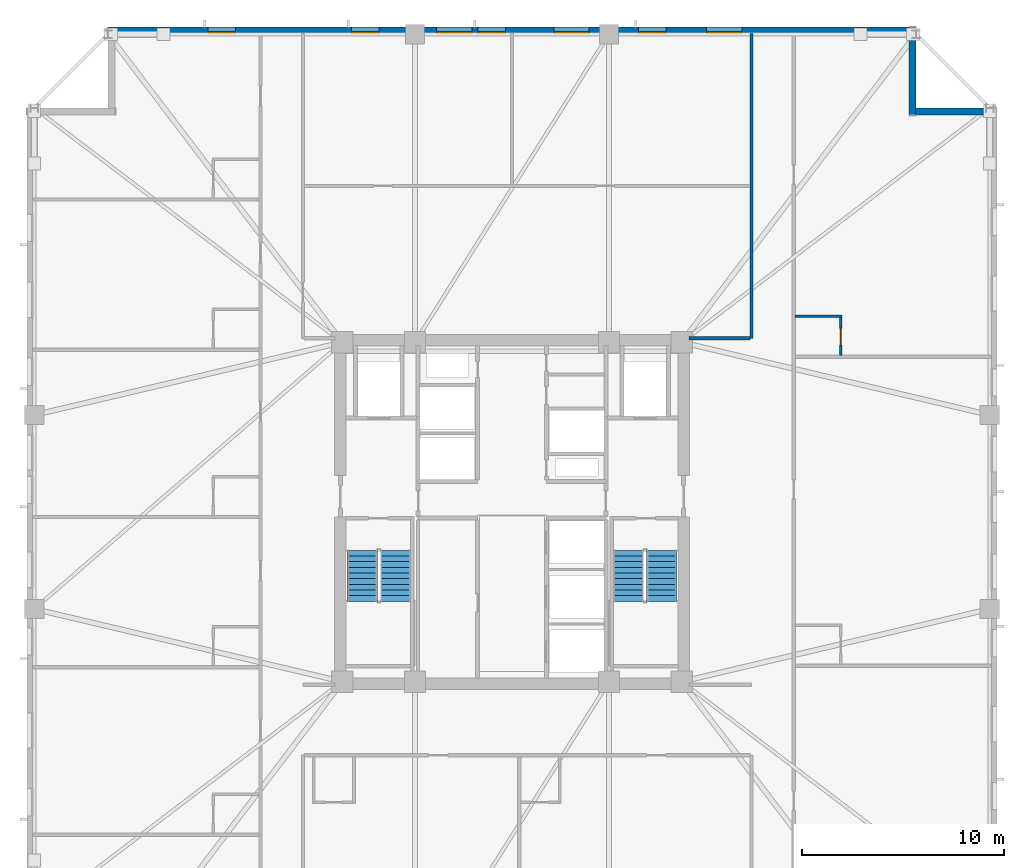
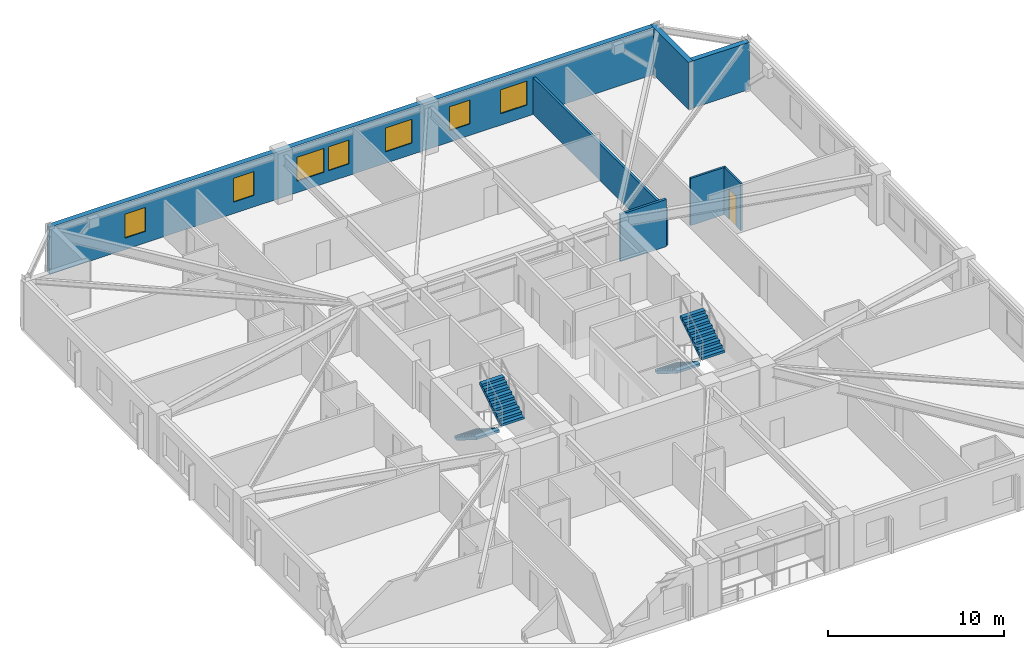
# One storey, part 6 of 11: 7 walls, 7 windows, 4 stair flights, 1 door, 8 openings, 2 elements without a shape of their own.
"""IFC4 building model written with IfcOpenShell, lengths in metres."""

from ifc_helpers import new_model, si_unit, direction, frame, frame_2d, origin, place, context, subcontext, project, spatial, polyline, rectangle, outline, extrude, material, layer, layer_set, type_object, element, fill, aggregate, save


model = new_model("IFC4")

# Units and contexts
model_context = context("Model", 3, precision=1e-05, world=origin(), true_north=direction((0.0, 1.0)))
body_context = subcontext(model_context, "Body", "Model", "MODEL_VIEW")
ifc_project = project(units=[si_unit("LENGTHUNIT", "METRE"), si_unit("AREAUNIT", "SQUARE_METRE"), si_unit("VOLUMEUNIT", "CUBIC_METRE"), si_unit("PLANEANGLEUNIT", "RADIAN"), si_unit("MASSUNIT", "GRAM", prefix="KILO")], contexts=[model_context])

# Site, building, storey
site_placement = place(None, origin())
site = spatial("IfcSite", under=ifc_project, at=site_placement, CompositionType="ELEMENT")
building_placement = place(site_placement, origin())
building = spatial("IfcBuilding", under=site, at=building_placement, Name="Cairnveth Concourse Tower", CompositionType="ELEMENT")
storey_placement = place(building_placement, frame((0.0, 0.0, 155.0)))
storey = spatial("IfcBuildingStorey", under=building, at=storey_placement, Name="L42", CompositionType="ELEMENT", Elevation=155.0)

# Walls
ifc_material_1 = material(Name="Gypsum Plasterboard Partition", Category="gypsum")
ifc_layer_1 = layer(ifc_material_1, 0.159912109375)
ifc_layer_set_1 = layer_set([ifc_layer_1], Name="Gypsum Plasterboard Partition")
wall_type_1 = type_object("IfcWallType", Name="ACOUSTIC PARTY WALL 180", PredefinedType="PARTITIONING", material=ifc_layer_set_1)
wall_1_placement = place(storey_placement, frame((63.85009765625, 47.60009765625, 0.0), z_axis=(0.0, 0.0, 1.0), x_axis=(0.0, 1.0, 0.0)))
element("IfcWall", 1, at=wall_1_placement, inside=storey, type_object=wall_type_1, Name="Interior Wall IW-L42-043", PredefinedType="PARTITIONING", context=body_context, shape_type="SweptSolid", body=[
    extrude(rectangle(XDim=15.074951171875, YDim=0.159912109375, at=frame_2d((7.53759765625, 0.0))), origin(), (0.0, 0.0, 1.0), 2.554931640625),
])
wall_2_placement = place(storey_placement, frame((60.764892578125, 47.60009765625, 0.0), z_axis=(0.0, 0.0, 1.0), x_axis=(1.0, 0.0, 0.0)))
element("IfcWall", 2, at=wall_2_placement, inside=storey, type_object=wall_type_1, Name="Interior Wall IW-L42-045", PredefinedType="PARTITIONING", context=body_context, shape_type="SweptSolid", body=[
    extrude(rectangle(XDim=3.02001953125, YDim=0.159912109375, at=frame_2d((1.510009765625, 0.0))), origin(), (0.0, 0.0, 1.0), 3.280029296875),
])
ifc_layer_2 = layer(ifc_material_1, 0.1298828125)
ifc_layer_set_2 = layer_set([ifc_layer_2], Name="Gypsum Plasterboard Partition")
wall_type_2 = type_object("IfcWallType", Name="WET AREA PARTITION 140", PredefinedType="PLUMBINGWALL", material=ifc_layer_set_2)
wall_3_placement = place(storey_placement, frame((66.014892578125, 48.6845703125, 0.0), z_axis=(0.0, 0.0, 1.0), x_axis=(1.0, 0.0, 0.0)))
element("IfcWall", 3, at=wall_3_placement, inside=storey, type_object=wall_type_2, Name="Interior Wall IW-L42-080", PredefinedType="PLUMBINGWALL", context=body_context, shape_type="SweptSolid", body=[
    extrude(rectangle(XDim=2.315185546875, YDim=0.1298828125, at=frame_2d((1.15771484375, 0.0))), origin(), (0.0, 0.0, 1.0), 3.280029296875),
])

# Wall, opening, door
wall_4_placement = place(storey_placement, frame((68.280029296875, 46.74951171875, 0.0), z_axis=(0.0, 0.0, 1.0), x_axis=(0.0, 1.0, 0.0)))
wall_4 = element("IfcWall", 4, at=wall_4_placement, inside=storey, type_object=wall_type_2, Name="Interior Wall IW-L42-081", PredefinedType="PLUMBINGWALL", context=body_context, shape_type="SweptSolid", body=[
    extrude(rectangle(XDim=1.885009765625, YDim=0.1298828125, at=frame_2d((0.9423828125, 0.0))), origin(), (0.0, 0.0, 1.0), 3.280029296875),
])
opening_1_placement = place(wall_4_placement, frame((0.52490234375, 0.0, 0.0)))
opening_1 = element("IfcOpeningElement", 5, at=opening_1_placement, cuts=wall_4, Name="Opening ID22", PredefinedType="OPENING", context=body_context, shape_type="SweptSolid", body=[
    extrude(rectangle(XDim=0.820068359375, YDim=2.10009765625, at=frame_2d((0.41015625, 1.050048828125))), frame((0.0, 0.074951171875, 0.0), z_axis=(0.0, -1.0, 0.0), x_axis=(1.0, 0.0, 0.0)), (0.0, 0.0, 1.0), 0.14990234375),
])
ifc_material_2 = material(Name="Solid Core Hardwood Timber Leaf", Category="wood")
door_type = type_object("IfcDoorType", Name="INTERIOR WC DOOR 820X2100", OperationType="NOTDEFINED", PredefinedType="DOOR", material=ifc_material_2)
door_placement = place(opening_1_placement, origin())
door = element("IfcDoor", 6, at=door_placement, inside=storey, type_object=door_type, Name="En-Suite Door L42-E3", OperationType="SINGLE_SWING_RIGHT", OverallHeight=2.10009765625, OverallWidth=0.820068359375, PredefinedType="DOOR", context=body_context, shape_type="SweptSolid", body=[
    extrude(rectangle(XDim=0.820068359375, YDim=2.10009765625, at=frame_2d((0.41015625, 1.050048828125))), frame((0.0, 0.02490234375, 0.0), z_axis=(0.0, -1.0, 0.0), x_axis=(1.0, 0.0, 0.0)), (0.0, 0.0, 1.0), 0.050048828125),
])
fill(opening_1, door)

# Wall, openings, windows
ifc_material_3 = material(Name="Hawthorn Red-Ochre Fired Clay Brick Masonry", Category="masonry")
ifc_layer_3 = layer(ifc_material_3, 0.340087890625)
ifc_layer_set_3 = layer_set([ifc_layer_3], Name="Hawthorn Red-Ochre Fired Clay Brick Masonry")
wall_type_3 = type_object("IfcWallType", Name="ZONE 2 BRICK PIER SPANDREL WALL 340", PredefinedType="SOLIDWALL", material=ifc_layer_set_3)
wall_5_placement = place(storey_placement, frame((32.0, 62.830078125, 0.0), z_axis=(0.0, 0.0, 1.0), x_axis=(1.0, 0.0, 0.0)))
wall_5 = element("IfcWall", 7, at=wall_5_placement, inside=storey, type_object=wall_type_3, Name="Exterior Wall EW-L42-S06", PredefinedType="SOLIDWALL", context=body_context, shape_type="SweptSolid", body=[
    extrude(rectangle(XDim=39.681884765625, YDim=0.340087890625, at=frame_2d((19.8408203125, 0.0))), origin(), (0.0, 0.0, 1.0), 3.280029296875),
])
opening_2_placement = place(wall_5_placement, frame((4.951904296875, 0.0, 0.800048828125)))
opening_2 = element("IfcOpeningElement", 8, at=opening_2_placement, cuts=wall_5, Name="Opening W02", PredefinedType="OPENING", context=body_context, shape_type="SweptSolid", body=[
    extrude(rectangle(XDim=1.35009765625, YDim=1.659912109375, at=frame_2d((0.675048828125, 0.830078125))), frame((0.0, 0.179931640625, 0.0), z_axis=(0.0, -1.0, 0.0), x_axis=(1.0, 0.0, 0.0)), (0.0, 0.0, 1.0), 0.360107421875),
])
opening_3_placement = place(wall_5_placement, frame((12.058837890625, 0.0, 0.800048828125)))
opening_3 = element("IfcOpeningElement", 9, at=opening_3_placement, cuts=wall_5, Name="Opening W02", PredefinedType="OPENING", context=body_context, shape_type="SweptSolid", body=[
    extrude(rectangle(XDim=1.35009765625, YDim=1.659912109375, at=frame_2d((0.675048828125, 0.830078125))), frame((0.0, 0.179931640625, 0.0), z_axis=(0.0, -1.0, 0.0), x_axis=(1.0, 0.0, 0.0)), (0.0, 0.0, 1.0), 0.360107421875),
])
opening_4_placement = place(wall_5_placement, frame((16.262451171875, 0.0, 0.800048828125)))
opening_4 = element("IfcOpeningElement", 10, at=opening_4_placement, cuts=wall_5, Name="Opening W06", PredefinedType="OPENING", context=body_context, shape_type="SweptSolid", body=[
    extrude(rectangle(XDim=1.75, YDim=1.659912109375, at=frame_2d((0.875, 0.830078125))), frame((0.0, 0.179931640625, 0.0), z_axis=(0.0, -1.0, 0.0), x_axis=(1.0, 0.0, 0.0)), (0.0, 0.0, 1.0), 0.360107421875),
])
opening_5_placement = place(wall_5_placement, frame((18.31591796875, 0.0, 0.800048828125)))
opening_5 = element("IfcOpeningElement", 11, at=opening_5_placement, cuts=wall_5, Name="Opening W02", PredefinedType="OPENING", context=body_context, shape_type="SweptSolid", body=[
    extrude(rectangle(XDim=1.35009765625, YDim=1.659912109375, at=frame_2d((0.675048828125, 0.830078125))), frame((0.0, 0.179931640625, 0.0), z_axis=(0.0, -1.0, 0.0), x_axis=(1.0, 0.0, 0.0)), (0.0, 0.0, 1.0), 0.360107421875),
])
opening_6_placement = place(wall_5_placement, frame((22.069580078125, 0.0, 0.800048828125)))
opening_6 = element("IfcOpeningElement", 12, at=opening_6_placement, cuts=wall_5, Name="Opening W06", PredefinedType="OPENING", context=body_context, shape_type="SweptSolid", body=[
    extrude(rectangle(XDim=1.75, YDim=1.659912109375, at=frame_2d((0.875, 0.830078125))), frame((0.0, 0.179931640625, 0.0), z_axis=(0.0, -1.0, 0.0), x_axis=(1.0, 0.0, 0.0)), (0.0, 0.0, 1.0), 0.360107421875),
])
opening_7_placement = place(wall_5_placement, frame((26.273193359375, 0.0, 0.800048828125)))
opening_7 = element("IfcOpeningElement", 13, at=opening_7_placement, cuts=wall_5, Name="Opening W02", PredefinedType="OPENING", context=body_context, shape_type="SweptSolid", body=[
    extrude(rectangle(XDim=1.35009765625, YDim=1.659912109375, at=frame_2d((0.675048828125, 0.830078125))), frame((0.0, 0.179931640625, 0.0), z_axis=(0.0, -1.0, 0.0), x_axis=(1.0, 0.0, 0.0)), (0.0, 0.0, 1.0), 0.360107421875),
])
opening_8_placement = place(wall_5_placement, frame((29.626708984375, 0.0, 0.800048828125)))
opening_8 = element("IfcOpeningElement", 14, at=opening_8_placement, cuts=wall_5, Name="Opening W06", PredefinedType="OPENING", context=body_context, shape_type="SweptSolid", body=[
    extrude(rectangle(XDim=1.75, YDim=1.659912109375, at=frame_2d((0.875, 0.830078125))), frame((0.0, 0.179931640625, 0.0), z_axis=(0.0, -1.0, 0.0), x_axis=(1.0, 0.0, 0.0)), (0.0, 0.0, 1.0), 0.360107421875),
])
ifc_material_4 = material(Name="Double Glazed Low-E Clear Glass", Category="glass")
window_type_1 = type_object("IfcWindowType", Name="DEEP-SET GOTHIC LANCET WINDOW 1350X1800", PartitioningType="DOUBLE_PANEL_VERTICAL", PredefinedType="WINDOW", material=ifc_material_4)
window_1_placement = place(opening_2_placement, origin())
window_1 = element("IfcWindow", 15, at=window_1_placement, inside=storey, type_object=window_type_1, Name="Gothic Lancet Window L42-6-1", OverallHeight=1.659912109375, OverallWidth=1.35009765625, PartitioningType="SINGLE_PANEL", PredefinedType="WINDOW", context=body_context, shape_type="SweptSolid", body=[
    extrude(rectangle(XDim=1.35009765625, YDim=1.659912109375, at=frame_2d((0.675048828125, 0.830078125))), frame((0.0, -0.050048828125, 0.0), z_axis=(0.0, -1.0, 0.0), x_axis=(1.0, 0.0, 0.0)), (0.0, 0.0, 1.0), 0.06005859375),
])
fill(opening_2, window_1)
window_2_placement = place(opening_3_placement, origin())
window_2 = element("IfcWindow", 16, at=window_2_placement, inside=storey, type_object=window_type_1, Name="Gothic Lancet Window L42-6-3", OverallHeight=1.659912109375, OverallWidth=1.35009765625, PartitioningType="SINGLE_PANEL", PredefinedType="WINDOW", context=body_context, shape_type="SweptSolid", body=[
    extrude(rectangle(XDim=1.35009765625, YDim=1.659912109375, at=frame_2d((0.675048828125, 0.830078125))), frame((0.0, -0.050048828125, 0.0), z_axis=(0.0, -1.0, 0.0), x_axis=(1.0, 0.0, 0.0)), (0.0, 0.0, 1.0), 0.06005859375),
])
fill(opening_3, window_2)
window_3_placement = place(opening_5_placement, origin())
window_3 = element("IfcWindow", 17, at=window_3_placement, inside=storey, type_object=window_type_1, Name="Gothic Lancet Window L42-6-5", OverallHeight=1.659912109375, OverallWidth=1.35009765625, PartitioningType="SINGLE_PANEL", PredefinedType="WINDOW", context=body_context, shape_type="SweptSolid", body=[
    extrude(rectangle(XDim=1.35009765625, YDim=1.659912109375, at=frame_2d((0.675048828125, 0.830078125))), frame((0.0, -0.050048828125, 0.0), z_axis=(0.0, -1.0, 0.0), x_axis=(1.0, 0.0, 0.0)), (0.0, 0.0, 1.0), 0.06005859375),
])
fill(opening_5, window_3)
window_4_placement = place(opening_7_placement, origin())
window_4 = element("IfcWindow", 18, at=window_4_placement, inside=storey, type_object=window_type_1, Name="Gothic Lancet Window L42-6-7", OverallHeight=1.659912109375, OverallWidth=1.35009765625, PartitioningType="SINGLE_PANEL", PredefinedType="WINDOW", context=body_context, shape_type="SweptSolid", body=[
    extrude(rectangle(XDim=1.35009765625, YDim=1.659912109375, at=frame_2d((0.675048828125, 0.830078125))), frame((0.0, -0.050048828125, 0.0), z_axis=(0.0, -1.0, 0.0), x_axis=(1.0, 0.0, 0.0)), (0.0, 0.0, 1.0), 0.06005859375),
])
fill(opening_7, window_4)
window_type_2 = type_object("IfcWindowType", Name="DEEP-SET HOTEL SUITE WINDOW 1750X1800", PartitioningType="DOUBLE_PANEL_VERTICAL", PredefinedType="WINDOW", material=ifc_material_4)
window_5_placement = place(opening_4_placement, origin())
window_5 = element("IfcWindow", 19, at=window_5_placement, inside=storey, type_object=window_type_2, Name="Gothic Lancet Window L42-6-4", OverallHeight=1.659912109375, OverallWidth=1.75, PartitioningType="SINGLE_PANEL", PredefinedType="WINDOW", context=body_context, shape_type="SweptSolid", body=[
    extrude(rectangle(XDim=1.75, YDim=1.659912109375, at=frame_2d((0.875, 0.830078125))), frame((0.0, -0.050048828125, 0.0), z_axis=(0.0, -1.0, 0.0), x_axis=(1.0, 0.0, 0.0)), (0.0, 0.0, 1.0), 0.06005859375),
])
fill(opening_4, window_5)
window_6_placement = place(opening_6_placement, origin())
window_6 = element("IfcWindow", 20, at=window_6_placement, inside=storey, type_object=window_type_2, Name="Gothic Lancet Window L42-6-6", OverallHeight=1.659912109375, OverallWidth=1.75, PartitioningType="SINGLE_PANEL", PredefinedType="WINDOW", context=body_context, shape_type="SweptSolid", body=[
    extrude(rectangle(XDim=1.75, YDim=1.659912109375, at=frame_2d((0.875, 0.830078125))), frame((0.0, -0.050048828125, 0.0), z_axis=(0.0, -1.0, 0.0), x_axis=(1.0, 0.0, 0.0)), (0.0, 0.0, 1.0), 0.06005859375),
])
fill(opening_6, window_6)
window_7_placement = place(opening_8_placement, origin())
window_7 = element("IfcWindow", 21, at=window_7_placement, inside=storey, type_object=window_type_2, Name="Gothic Lancet Window L42-6-8", OverallHeight=1.659912109375, OverallWidth=1.75, PartitioningType="SINGLE_PANEL", PredefinedType="WINDOW", context=body_context, shape_type="SweptSolid", body=[
    extrude(rectangle(XDim=1.75, YDim=1.659912109375, at=frame_2d((0.875, 0.830078125))), frame((0.0, -0.050048828125, 0.0), z_axis=(0.0, -1.0, 0.0), x_axis=(1.0, 0.0, 0.0)), (0.0, 0.0, 1.0), 0.06005859375),
])
fill(opening_8, window_7)

# Walls
wall_6_placement = place(storey_placement, frame((71.830078125, 63.0, 0.0), z_axis=(0.0, 0.0, 1.0), x_axis=(0.0, -1.0, 0.0)))
element("IfcWall", 22, at=wall_6_placement, inside=storey, type_object=wall_type_3, Name="Exterior Wall EW-L42-S07", PredefinedType="SOLIDWALL", context=body_context, shape_type="SweptSolid", body=[
    extrude(rectangle(XDim=4.340087890625, YDim=0.340087890625, at=frame_2d((2.169921875, 0.0))), origin(), (0.0, 0.0, 1.0), 3.280029296875),
])
wall_7_placement = place(storey_placement, frame((71.97802734375, 58.830078125, 0.0), z_axis=(0.0, 0.0, 1.0), x_axis=(1.0, 0.0, 0.0)))
element("IfcWall", 23, at=wall_7_placement, inside=storey, type_object=wall_type_3, Name="Exterior Wall EW-L42-S08", PredefinedType="SOLIDWALL", context=body_context, shape_type="SweptSolid", body=[
    extrude(rectangle(XDim=3.703857421875, YDim=0.340087890625, at=frame_2d((1.85205078125, 0.0))), origin(), (0.0, 0.0, 1.0), 3.280029296875),
])

# Stair, stair flights
ifc_material_5 = material(Name="Precast concrete N50 (50 MPa)", Category="concrete")
stair_type = type_object("IfcStairType", Name="CORE DOG-LEG FIRE STAIR 1500", PredefinedType="HALF_TURN_STAIR", material=ifc_material_5)
stair_1_placement = place(storey_placement, origin())
stair_1 = element("IfcStair", 24, at=stair_1_placement, inside=storey, type_object=stair_type, Name="L42 Fire-Isolated Stair ST-1", PredefinedType="HALF_TURN_STAIR")
stair_flight_type = type_object("IfcStairFlightType", Name="PRECAST CONCRETE STAIR FLIGHT 1500", PredefinedType="STRAIGHT", material=ifc_material_5)
stair_flight_1_placement = place(storey_placement, frame((44.590087890625, 37.10009765625, 0.0), z_axis=(0.0, 0.0, 1.0), x_axis=(0.0, -1.0, 0.0)))
stair_flight_1 = element("IfcStairFlight", 25, at=stair_flight_1_placement, type_object=stair_flight_type, Name="ST-1 flight 1", NumberOfRisers=10, NumberOfTreads=9, PredefinedType="STRAIGHT", RiserHeight=0.175, TreadLength=0.28, context=body_context, shape_type="SweptSolid", body=[
    extrude(outline(polyline([(0.0, 0.0), (0.0, 0.175048828125), (0.280029296875, 0.175048828125), (0.280029296875, 0.35009765625), (0.56005859375, 0.35009765625), (0.56005859375, 0.52490234375), (0.840087890625, 0.52490234375), (0.840087890625, 0.699951171875), (1.1201171875, 0.699951171875), (1.1201171875, 0.875), (1.39990234375, 0.875), (1.39990234375, 1.050048828125), (1.679931640625, 1.050048828125), (1.679931640625, 1.22509765625), (1.9599609375, 1.22509765625), (1.9599609375, 1.39990234375), (2.239990234375, 1.39990234375), (2.239990234375, 1.574951171875), (2.52001953125, 1.574951171875), (2.52001953125, 1.75), (2.52001953125, 1.398193359375), (0.28271484375, 0.0), (0.0, 0.0)])), frame((0.0, 0.75, 0.0), z_axis=(0.0, -1.0, 0.0), x_axis=(1.0, 0.0, 0.0)), (0.0, 0.0, 1.0), 1.5),
])
stair_flight_2_placement = place(storey_placement, frame((46.22998046875, 34.580078125, 1.75), z_axis=(0.0, 0.0, 1.0), x_axis=(0.0, 1.0, 0.0)))
stair_flight_2 = element("IfcStairFlight", 26, at=stair_flight_2_placement, type_object=stair_flight_type, Name="ST-1 flight 2", NumberOfRisers=10, NumberOfTreads=9, PredefinedType="STRAIGHT", RiserHeight=0.175, TreadLength=0.28, context=body_context, shape_type="SweptSolid", body=[
    extrude(outline(polyline([(0.0, 0.0), (0.0, 0.175048828125), (0.280029296875, 0.175048828125), (0.280029296875, 0.35009765625), (0.56005859375, 0.35009765625), (0.56005859375, 0.52490234375), (0.840087890625, 0.52490234375), (0.840087890625, 0.699951171875), (1.1201171875, 0.699951171875), (1.1201171875, 0.875), (1.39990234375, 0.875), (1.39990234375, 1.050048828125), (1.679931640625, 1.050048828125), (1.679931640625, 1.22509765625), (1.9599609375, 1.22509765625), (1.9599609375, 1.39990234375), (2.239990234375, 1.39990234375), (2.239990234375, 1.574951171875), (2.52001953125, 1.574951171875), (2.52001953125, 1.75), (2.52001953125, 1.398193359375), (0.28271484375, 0.0), (0.0, 0.0)])), frame((0.0, 0.75, 0.0), z_axis=(0.0, -1.0, 0.0), x_axis=(1.0, 0.0, 0.0)), (0.0, 0.0, 1.0), 1.5),
])
aggregate(stair_1, [stair_flight_1, stair_flight_2])

stair_2_placement = place(storey_placement, origin())
stair_2 = element("IfcStair", 27, at=stair_2_placement, inside=storey, type_object=stair_type, Name="L42 Fire-Isolated Stair ST-2", PredefinedType="HALF_TURN_STAIR")
stair_flight_3_placement = place(storey_placement, frame((57.77001953125, 37.10009765625, 0.0), z_axis=(0.0, 0.0, 1.0), x_axis=(0.0, -1.0, 0.0)))
stair_flight_3 = element("IfcStairFlight", 28, at=stair_flight_3_placement, type_object=stair_flight_type, Name="ST-2 flight 1", NumberOfRisers=10, NumberOfTreads=9, PredefinedType="STRAIGHT", RiserHeight=0.175, TreadLength=0.28, context=body_context, shape_type="SweptSolid", body=[
    extrude(outline(polyline([(0.0, 0.0), (0.0, 0.175048828125), (0.280029296875, 0.175048828125), (0.280029296875, 0.35009765625), (0.56005859375, 0.35009765625), (0.56005859375, 0.52490234375), (0.840087890625, 0.52490234375), (0.840087890625, 0.699951171875), (1.1201171875, 0.699951171875), (1.1201171875, 0.875), (1.39990234375, 0.875), (1.39990234375, 1.050048828125), (1.679931640625, 1.050048828125), (1.679931640625, 1.22509765625), (1.9599609375, 1.22509765625), (1.9599609375, 1.39990234375), (2.239990234375, 1.39990234375), (2.239990234375, 1.574951171875), (2.52001953125, 1.574951171875), (2.52001953125, 1.75), (2.52001953125, 1.398193359375), (0.28271484375, 0.0), (0.0, 0.0)])), frame((0.0, 0.75, 0.0), z_axis=(0.0, -1.0, 0.0), x_axis=(1.0, 0.0, 0.0)), (0.0, 0.0, 1.0), 1.5),
])
stair_flight_4_placement = place(storey_placement, frame((59.409912109375, 34.580078125, 1.75), z_axis=(0.0, 0.0, 1.0), x_axis=(0.0, 1.0, 0.0)))
stair_flight_4 = element("IfcStairFlight", 29, at=stair_flight_4_placement, type_object=stair_flight_type, Name="ST-2 flight 2", NumberOfRisers=10, NumberOfTreads=9, PredefinedType="STRAIGHT", RiserHeight=0.175, TreadLength=0.28, context=body_context, shape_type="SweptSolid", body=[
    extrude(outline(polyline([(0.0, 0.0), (0.0, 0.175048828125), (0.280029296875, 0.175048828125), (0.280029296875, 0.35009765625), (0.56005859375, 0.35009765625), (0.56005859375, 0.52490234375), (0.840087890625, 0.52490234375), (0.840087890625, 0.699951171875), (1.1201171875, 0.699951171875), (1.1201171875, 0.875), (1.39990234375, 0.875), (1.39990234375, 1.050048828125), (1.679931640625, 1.050048828125), (1.679931640625, 1.22509765625), (1.9599609375, 1.22509765625), (1.9599609375, 1.39990234375), (2.239990234375, 1.39990234375), (2.239990234375, 1.574951171875), (2.52001953125, 1.574951171875), (2.52001953125, 1.75), (2.52001953125, 1.398193359375), (0.28271484375, 0.0), (0.0, 0.0)])), frame((0.0, 0.75, 0.0), z_axis=(0.0, -1.0, 0.0), x_axis=(1.0, 0.0, 0.0)), (0.0, 0.0, 1.0), 1.5),
])
aggregate(stair_2, [stair_flight_3, stair_flight_4])

save(model, "model.ifc")
